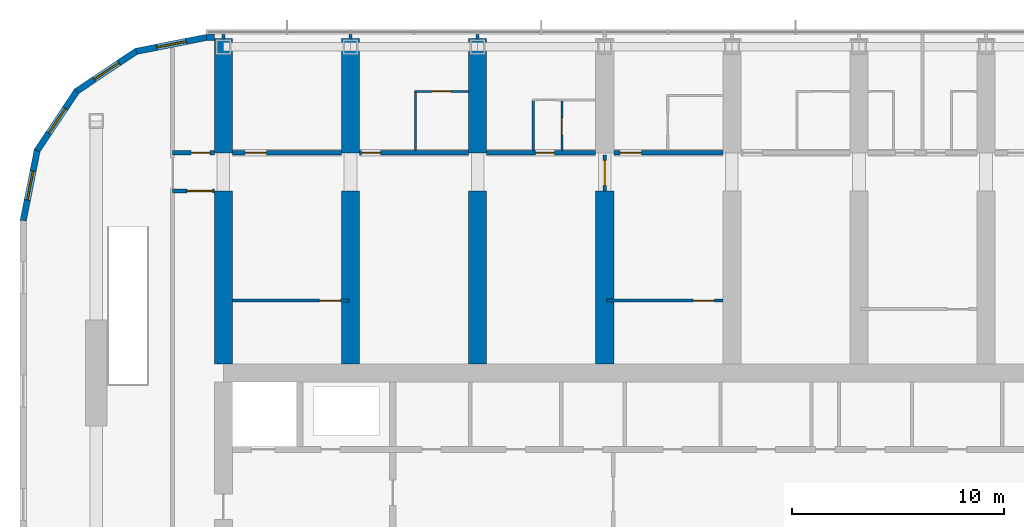
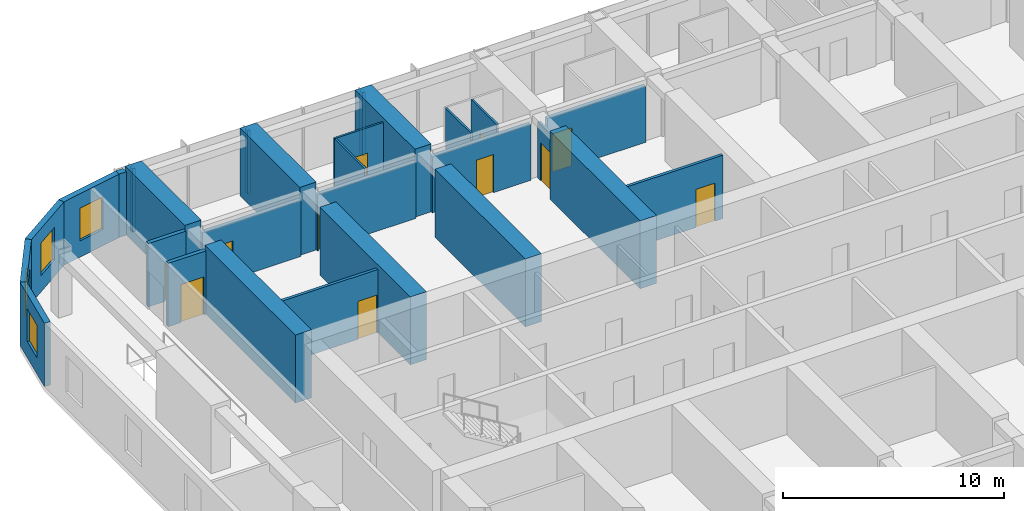
# One storey, part 15 of 22: 28 walls, 11 doors, 4 windows, 15 openings.
"""IFC4 building model written with IfcOpenShell, lengths in metres."""

from ifc_helpers import new_model, si_unit, direction, frame, frame_2d, origin, place, context, subcontext, project, spatial, polyline, rectangle, outline, extrude, material, layer, layer_set, type_object, element, fill, save


model = new_model("IFC4")

# Units and contexts
model_context = context("Model", 3, precision=1e-05, world=origin(), true_north=direction((0.0, 1.0)))
body_context = subcontext(model_context, "Body", "Model", "MODEL_VIEW")
ifc_project = project(units=[si_unit("LENGTHUNIT", "METRE"), si_unit("AREAUNIT", "SQUARE_METRE"), si_unit("VOLUMEUNIT", "CUBIC_METRE"), si_unit("PLANEANGLEUNIT", "RADIAN"), si_unit("MASSUNIT", "GRAM", prefix="KILO")], contexts=[model_context])

# Site, building, storey
site_placement = place(None, origin())
site = spatial("IfcSite", under=ifc_project, at=site_placement, CompositionType="ELEMENT")
building_placement = place(site_placement, origin())
building = spatial("IfcBuilding", under=site, at=building_placement, Name="Orbita Commons", CompositionType="ELEMENT")
storey_placement = place(building_placement, frame((0.0, 0.0, 167.35009765625)))
storey = spatial("IfcBuildingStorey", under=building, at=storey_placement, Name="L41", CompositionType="ELEMENT", Elevation=167.35009765625)

# Wall, opening, door
ifc_material_1 = material(Name="Concrete blockwork", Category="masonry")
ifc_layer_1 = layer(ifc_material_1, 0.199951171875)
ifc_layer_set_1 = layer_set([ifc_layer_1], Name="Concrete blockwork")
wall_type_1 = type_object("IfcWallType", Name="Corridor wall 200 blockwork", PredefinedType="SOLIDWALL", material=ifc_layer_set_1)
wall_1_placement = place(storey_placement, frame((15.60009765625, 48.60009765625, 0.0), z_axis=(0.0, 0.0, 1.0), x_axis=(1.0, 0.0, 0.0)))
wall_1 = element("IfcWall", 1, at=wall_1_placement, inside=storey, type_object=wall_type_1, Name="Corridor wall 200 blockwork L41", PredefinedType="SOLIDWALL", context=body_context, shape_type="SweptSolid", body=[
    extrude(rectangle(XDim=1.974853515625, YDim=0.199951171875, at=frame_2d((0.9873046875, 0.0))), origin(), (0.0, 0.0, 1.0), 3.5),
])
opening_1_placement = place(wall_1_placement, frame((0.875, 0.0, 0.0)))
opening_1 = element("IfcOpeningElement", 2, at=opening_1_placement, cuts=wall_1, Name="Opening D05", PredefinedType="OPENING", context=body_context, shape_type="SweptSolid", body=[
    extrude(rectangle(XDim=0.89990234375, YDim=2.10009765625, at=frame_2d((0.449951171875, 1.050048828125))), frame((0.0, 0.10986328125, 0.0), z_axis=(0.0, -1.0, 0.0), x_axis=(1.0, 0.0, 0.0)), (0.0, 0.0, 1.0), 0.219970703125),
])
ifc_material_2 = material(Name="Steel-faced fire door leaf", Category="steel")
door_type_1 = type_object("IfcDoorType", Name="Service door 20 min 900x2100", OperationType="SINGLE_SWING_LEFT", PredefinedType="DOOR", material=ifc_material_2)
door_1_placement = place(opening_1_placement, origin())
door_1 = element("IfcDoor", 3, at=door_1_placement, inside=storey, type_object=door_type_1, Name="Linen store L41-KWN door", OperationType="SINGLE_SWING_LEFT", OverallHeight=2.10009765625, OverallWidth=0.89990234375, PredefinedType="DOOR", context=body_context, shape_type="SweptSolid", body=[
    extrude(rectangle(XDim=0.89990234375, YDim=2.10009765625, at=frame_2d((0.449951171875, 1.050048828125))), frame((0.0, 0.02490234375, 0.0), z_axis=(0.0, -1.0, 0.0), x_axis=(1.0, 0.0, 0.0)), (0.0, 0.0, 1.0), 0.050048828125),
])
fill(opening_1, door_1)

wall_2_placement = place(storey_placement, frame((18.425048828125, 48.60009765625, 0.0), z_axis=(0.0, 0.0, 1.0), x_axis=(1.0, 0.0, 0.0)))
wall_2 = element("IfcWall", 4, at=wall_2_placement, inside=storey, type_object=wall_type_1, Name="Corridor wall 200 blockwork L41", PredefinedType="SOLIDWALL", context=body_context, shape_type="SweptSolid", body=[
    extrude(outline(polyline([(0.0, 0.0), (5.14990234375, 0.0), (5.14990234375, 3.099853515625), (0.0, 3.099853515625), (0.0, 0.0)])), frame((0.0, 0.10009765625, 0.0), z_axis=(0.0, -1.0, 0.0), x_axis=(1.0, 0.0, 0.0)), (0.0, 0.0, 1.0), 0.199951171875),
])
opening_2_placement = place(wall_2_placement, frame((0.60009765625, 0.0, 0.0)))
opening_2 = element("IfcOpeningElement", 5, at=opening_2_placement, cuts=wall_2, Name="Opening D06", PredefinedType="OPENING", context=body_context, shape_type="SweptSolid", body=[
    extrude(rectangle(XDim=1.0, YDim=2.10009765625, at=frame_2d((0.5, 1.050048828125))), frame((0.0, 0.10986328125, 0.0), z_axis=(0.0, -1.0, 0.0), x_axis=(1.0, 0.0, 0.0)), (0.0, 0.0, 1.0), 0.219970703125),
])
ifc_material_3 = material(Name="Steel-faced fire door leaf", Category="steel")
door_type_2 = type_object("IfcDoorType", Name="Corridor door 20 min 1000x2100", OperationType="SINGLE_SWING_LEFT", PredefinedType="DOOR", material=ifc_material_3)
door_2_placement = place(opening_2_placement, origin())
door_2 = element("IfcDoor", 6, at=door_2_placement, inside=storey, type_object=door_type_2, Name="Sea-view lounge L41-N00 door", OperationType="SINGLE_SWING_LEFT", OverallHeight=2.10009765625, OverallWidth=1.0, PredefinedType="DOOR", context=body_context, shape_type="SweptSolid", body=[
    extrude(rectangle(XDim=1.0, YDim=2.10009765625, at=frame_2d((0.5, 1.050048828125))), frame((0.0, 0.02490234375, 0.0), z_axis=(0.0, -1.0, 0.0), x_axis=(1.0, 0.0, 0.0)), (0.0, 0.0, 1.0), 0.050048828125),
])
fill(opening_2, door_2)

wall_3_placement = place(storey_placement, frame((24.425048828125, 48.60009765625, 0.0), z_axis=(0.0, 0.0, 1.0), x_axis=(1.0, 0.0, 0.0)))
wall_3 = element("IfcWall", 7, at=wall_3_placement, inside=storey, type_object=wall_type_1, Name="Corridor wall 200 blockwork L41", PredefinedType="SOLIDWALL", context=body_context, shape_type="SweptSolid", body=[
    extrude(outline(polyline([(0.0, 0.0), (5.14990234375, 0.0), (5.14990234375, 3.099853515625), (0.0, 3.099853515625), (0.0, 0.0)])), frame((0.0, 0.10009765625, 0.0), z_axis=(0.0, -1.0, 0.0), x_axis=(1.0, 0.0, 0.0)), (0.0, 0.0, 1.0), 0.199951171875),
])
opening_3_placement = place(wall_3_placement, frame((0.10009765625, 0.0, 0.0)))
opening_3 = element("IfcOpeningElement", 8, at=opening_3_placement, cuts=wall_3, Name="Opening D11", PredefinedType="OPENING", context=body_context, shape_type="SweptSolid", body=[
    extrude(rectangle(XDim=0.89990234375, YDim=2.10009765625, at=frame_2d((0.449951171875, 1.050048828125))), frame((0.0, 0.10986328125, 0.0), z_axis=(0.0, -1.0, 0.0), x_axis=(1.0, 0.0, 0.0)), (0.0, 0.0, 1.0), 0.219970703125),
])
ifc_material_4 = material(Name="Steel-faced fire door leaf", Category="steel")
door_type_3 = type_object("IfcDoorType", Name="Corridor door 20 min 900x2100", OperationType="SINGLE_SWING_LEFT", PredefinedType="DOOR", material=ifc_material_4)
door_3_placement = place(opening_3_placement, origin())
door_3 = element("IfcDoor", 9, at=door_3_placement, inside=storey, type_object=door_type_3, Name="Twin room L41-N02 door", OperationType="SINGLE_SWING_LEFT", OverallHeight=2.10009765625, OverallWidth=0.89990234375, PredefinedType="DOOR", context=body_context, shape_type="SweptSolid", body=[
    extrude(rectangle(XDim=0.89990234375, YDim=2.10009765625, at=frame_2d((0.449951171875, 1.050048828125))), frame((0.0, 0.02490234375, 0.0), z_axis=(0.0, -1.0, 0.0), x_axis=(1.0, 0.0, 0.0)), (0.0, 0.0, 1.0), 0.050048828125),
])
fill(opening_3, door_3)

wall_4_placement = place(storey_placement, frame((30.425048828125, 48.60009765625, 0.0), z_axis=(0.0, 0.0, 1.0), x_axis=(1.0, 0.0, 0.0)))
wall_4 = element("IfcWall", 10, at=wall_4_placement, inside=storey, type_object=wall_type_1, Name="Corridor wall 200 blockwork L41", PredefinedType="SOLIDWALL", context=body_context, shape_type="SweptSolid", body=[
    extrude(outline(polyline([(0.0, 0.0), (5.14990234375, 0.0), (5.14990234375, 3.099853515625), (0.0, 3.099853515625), (0.0, 0.0)])), frame((0.0, 0.10009765625, 0.0), z_axis=(0.0, -1.0, 0.0), x_axis=(1.0, 0.0, 0.0)), (0.0, 0.0, 1.0), 0.199951171875),
])
opening_4_placement = place(wall_4_placement, frame((2.300048828125, 0.0, 0.0)))
opening_4 = element("IfcOpeningElement", 11, at=opening_4_placement, cuts=wall_4, Name="Opening D11", PredefinedType="OPENING", context=body_context, shape_type="SweptSolid", body=[
    extrude(rectangle(XDim=0.89990234375, YDim=2.10009765625, at=frame_2d((0.449951171875, 1.050048828125))), frame((0.0, 0.10986328125, 0.0), z_axis=(0.0, -1.0, 0.0), x_axis=(1.0, 0.0, 0.0)), (0.0, 0.0, 1.0), 0.219970703125),
])
door_4_placement = place(opening_4_placement, origin())
door_4 = element("IfcDoor", 12, at=door_4_placement, inside=storey, type_object=door_type_3, Name="Studio flat L41-N04 entrance door", OperationType="SINGLE_SWING_LEFT", OverallHeight=2.10009765625, OverallWidth=0.89990234375, PredefinedType="DOOR", context=body_context, shape_type="SweptSolid", body=[
    extrude(rectangle(XDim=0.89990234375, YDim=2.10009765625, at=frame_2d((0.449951171875, 1.050048828125))), frame((0.0, 0.02490234375, 0.0), z_axis=(0.0, -1.0, 0.0), x_axis=(1.0, 0.0, 0.0)), (0.0, 0.0, 1.0), 0.050048828125),
])
fill(opening_4, door_4)

wall_5_placement = place(storey_placement, frame((36.425048828125, 48.60009765625, 0.0), z_axis=(0.0, 0.0, 1.0), x_axis=(1.0, 0.0, 0.0)))
wall_5 = element("IfcWall", 13, at=wall_5_placement, inside=storey, type_object=wall_type_1, Name="Corridor wall 200 blockwork L41", PredefinedType="SOLIDWALL", context=body_context, shape_type="SweptSolid", body=[
    extrude(outline(polyline([(0.0, 0.0), (5.14990234375, 0.0), (5.14990234375, 3.099853515625), (0.0, 3.099853515625), (0.0, 0.0)])), frame((0.0, 0.10009765625, 0.0), z_axis=(0.0, -1.0, 0.0), x_axis=(1.0, 0.0, 0.0)), (0.0, 0.0, 1.0), 0.199951171875),
])
opening_5_placement = place(wall_5_placement, frame((0.300048828125, 0.0, 0.0)))
opening_5 = element("IfcOpeningElement", 14, at=opening_5_placement, cuts=wall_5, Name="Opening D06", PredefinedType="OPENING", context=body_context, shape_type="SweptSolid", body=[
    extrude(rectangle(XDim=1.0, YDim=2.10009765625, at=frame_2d((0.5, 1.050048828125))), frame((0.0, 0.10986328125, 0.0), z_axis=(0.0, -1.0, 0.0), x_axis=(1.0, 0.0, 0.0)), (0.0, 0.0, 1.0), 0.219970703125),
])
door_5_placement = place(opening_5_placement, origin())
door_5 = element("IfcDoor", 15, at=door_5_placement, inside=storey, type_object=door_type_2, Name="Accessible bedroom L41-N06 door", OperationType="SINGLE_SWING_LEFT", OverallHeight=2.10009765625, OverallWidth=1.0, PredefinedType="DOOR", context=body_context, shape_type="SweptSolid", body=[
    extrude(rectangle(XDim=1.0, YDim=2.10009765625, at=frame_2d((0.5, 1.050048828125))), frame((0.0, 0.02490234375, 0.0), z_axis=(0.0, -1.0, 0.0), x_axis=(1.0, 0.0, 0.0)), (0.0, 0.0, 1.0), 0.050048828125),
])
fill(opening_5, door_5)

ifc_material_5 = material(Name="Hollow concrete block 200", Category="concrete")
ifc_layer_2 = layer(ifc_material_5, 0.199951171875)
ifc_layer_set_2 = layer_set([ifc_layer_2], Name="Hollow concrete block 200")
wall_type_2 = type_object("IfcWallType", Name="Corridor wall 200 hollow concrete block", PredefinedType="SOLIDWALL", material=ifc_layer_set_2)
wall_6_placement = place(storey_placement, frame((15.60009765625, 46.800048828125, 0.0), z_axis=(0.0, 0.0, 1.0), x_axis=(1.0, 0.0, 0.0)))
wall_6 = element("IfcWall", 16, at=wall_6_placement, inside=storey, type_object=wall_type_2, Name="Corridor wall 200 hollow concrete block L41", PredefinedType="SOLIDWALL", context=body_context, shape_type="SweptSolid", body=[
    extrude(rectangle(XDim=1.974853515625, YDim=0.199951171875, at=frame_2d((0.9873046875, 0.0))), origin(), (0.0, 0.0, 1.0), 3.5),
])
opening_6_placement = place(wall_6_placement, frame((0.675048828125, 0.0, 0.0)))
opening_6 = element("IfcOpeningElement", 17, at=opening_6_placement, cuts=wall_6, Name="Opening D12", PredefinedType="OPENING", context=body_context, shape_type="SweptSolid", body=[
    extrude(rectangle(XDim=1.199951171875, YDim=2.10009765625, at=frame_2d((0.60009765625, 1.050048828125))), frame((0.0, 0.10986328125, 0.0), z_axis=(0.0, -1.0, 0.0), x_axis=(1.0, 0.0, 0.0)), (0.0, 0.0, 1.0), 0.219970703125),
])
ifc_material_6 = material(Name="Steel-faced fire door leaf", Category="steel")
door_type_4 = type_object("IfcDoorType", Name="Double corridor door 20 min 1200x2100", OperationType="DOUBLE_DOOR_SINGLE_SWING", PredefinedType="DOOR", material=ifc_material_6)
door_6_placement = place(opening_6_placement, origin())
door_6 = element("IfcDoor", 18, at=door_6_placement, inside=storey, type_object=door_type_4, Name="Cross corridor doors", OperationType="DOUBLE_DOOR_SINGLE_SWING", OverallHeight=2.10009765625, OverallWidth=1.199951171875, PredefinedType="DOOR", context=body_context, shape_type="SweptSolid", body=[
    extrude(rectangle(XDim=1.199951171875, YDim=2.10009765625, at=frame_2d((0.60009765625, 1.050048828125))), frame((0.0, 0.02490234375, 0.0), z_axis=(0.0, -1.0, 0.0), x_axis=(1.0, 0.0, 0.0)), (0.0, 0.0, 1.0), 0.050048828125),
])
fill(opening_6, door_6)

# Walls
ifc_material_7 = material(Name="Concrete C50/60", Category="concrete")
ifc_layer_3 = layer(ifc_material_7, 0.85009765625)
ifc_layer_set_3 = layer_set([ifc_layer_3], Name="Concrete C50/60")
wall_type_3 = type_object("IfcWallType", Name="Cross wall 850 C50/60", PredefinedType="SHEAR", material=ifc_layer_set_3)
wall_7_placement = place(storey_placement, frame((18.0, 48.60009765625, 0.0), z_axis=(0.0, 0.0, 1.0), x_axis=(0.0, 1.0, 0.0)))
element("IfcWall", 19, at=wall_7_placement, inside=storey, type_object=wall_type_3, Name="Cross wall 4 north outer L41", PredefinedType="SHEAR", context=body_context, shape_type="SweptSolid", body=[
    extrude(rectangle(XDim=5.39990234375, YDim=0.85009765625, at=frame_2d((2.699951171875, 0.0))), origin(), (0.0, 0.0, 1.0), 3.75),
])
wall_8_placement = place(storey_placement, frame((18.0, 38.625, 0.0), z_axis=(0.0, 0.0, 1.0), x_axis=(0.0, 1.0, 0.0)))
element("IfcWall", 20, at=wall_8_placement, inside=storey, type_object=wall_type_3, Name="Cross wall 4 north inner L41", PredefinedType="SHEAR", context=body_context, shape_type="SweptSolid", body=[
    extrude(rectangle(XDim=8.175048828125, YDim=0.85009765625, at=frame_2d((4.08740234375, 0.0))), origin(), (0.0, 0.0, 1.0), 3.75),
])
wall_9_placement = place(storey_placement, frame((24.0, 48.60009765625, 0.0), z_axis=(0.0, 0.0, 1.0), x_axis=(0.0, 1.0, 0.0)))
element("IfcWall", 21, at=wall_9_placement, inside=storey, type_object=wall_type_3, Name="Cross wall 5 north outer L41", PredefinedType="SHEAR", context=body_context, shape_type="SweptSolid", body=[
    extrude(rectangle(XDim=5.39990234375, YDim=0.85009765625, at=frame_2d((2.699951171875, 0.0))), origin(), (0.0, 0.0, 1.0), 3.75),
])
wall_10_placement = place(storey_placement, frame((24.0, 38.625, 0.0), z_axis=(0.0, 0.0, 1.0), x_axis=(0.0, 1.0, 0.0)))
element("IfcWall", 22, at=wall_10_placement, inside=storey, type_object=wall_type_3, Name="Cross wall 5 north inner L41", PredefinedType="SHEAR", context=body_context, shape_type="SweptSolid", body=[
    extrude(rectangle(XDim=8.175048828125, YDim=0.85009765625, at=frame_2d((4.08740234375, 0.0))), origin(), (0.0, 0.0, 1.0), 3.75),
])
wall_11_placement = place(storey_placement, frame((30.0, 48.60009765625, 0.0), z_axis=(0.0, 0.0, 1.0), x_axis=(0.0, 1.0, 0.0)))
element("IfcWall", 23, at=wall_11_placement, inside=storey, type_object=wall_type_3, Name="Cross wall 6 north outer L41", PredefinedType="SHEAR", context=body_context, shape_type="SweptSolid", body=[
    extrude(rectangle(XDim=5.39990234375, YDim=0.85009765625, at=frame_2d((2.699951171875, 0.0))), origin(), (0.0, 0.0, 1.0), 3.75),
])
for number, where, z_axis, x_axis, name in (
    (24, (30.0, 38.625, 0.0), (0.0, 0.0, 1.0), (0.0, 1.0, 0.0), "Cross wall 6 north inner L41"),
    (25, (36.0, 38.625, 0.0), (0.0, 0.0, 1.0), (0.0, 1.0, 0.0), "Cross wall 7 north inner L41"),
):
    element("IfcWall", number, at=place(storey_placement, frame(where, z_axis=z_axis, x_axis=x_axis)), inside=storey, type_object=wall_type_3, Name=name, PredefinedType="SHEAR", context=body_context, shape_type="SweptSolid", body=[
        extrude(rectangle(XDim=8.175048828125, YDim=0.85009765625, at=frame_2d((4.08740234375, 0.0))), origin(), (0.0, 0.0, 1.0), 3.75),
    ])

# Wall, opening, door
ifc_material_8 = material(Name="Moisture-resistant plasterboard on steel studs", Category="steel")
ifc_layer_4 = layer(ifc_material_8, 0.10009765625)
ifc_layer_set_4 = layer_set([ifc_layer_4], Name="Moisture-resistant plasterboard on steel studs")
wall_type_4 = type_object("IfcWallType", Name="En-suite partition 100", PredefinedType="PARTITIONING", material=ifc_layer_set_4)
wall_12_placement = place(storey_placement, frame((27.02490234375, 51.5, 0.0), z_axis=(0.0, 0.0, 1.0), x_axis=(1.0, 0.0, 0.0)))
wall_12 = element("IfcWall", 26, at=wall_12_placement, inside=storey, type_object=wall_type_4, Name="En-suite partition 100 L41", PredefinedType="PARTITIONING", context=body_context, shape_type="SweptSolid", body=[
    extrude(rectangle(XDim=2.550048828125, YDim=0.10009765625, at=frame_2d((1.27490234375, 0.0))), origin(), (0.0, 0.0, 1.0), 3.5),
])
opening_7_placement = place(wall_12_placement, frame((0.824951171875, 0.0, 0.0)))
opening_7 = element("IfcOpeningElement", 27, at=opening_7_placement, cuts=wall_12, Name="Opening D09", PredefinedType="OPENING", context=body_context, shape_type="SweptSolid", body=[
    extrude(rectangle(XDim=0.89990234375, YDim=2.10009765625, at=frame_2d((0.449951171875, 1.050048828125))), frame((0.0, 0.06005859375, 0.0), z_axis=(0.0, -1.0, 0.0), x_axis=(1.0, 0.0, 0.0)), (0.0, 0.0, 1.0), 0.1201171875),
])
ifc_material_9 = material(Name="Laminated timber door leaf", Category="wood")
door_type_5 = type_object("IfcDoorType", Name="En-suite door 900x2100", OperationType="SINGLE_SWING_RIGHT", PredefinedType="DOOR", material=ifc_material_9)
door_7_placement = place(opening_7_placement, origin())
door_7 = element("IfcDoor", 28, at=door_7_placement, inside=storey, type_object=door_type_5, Name="En-suite L41-N02 door", OperationType="SINGLE_SWING_RIGHT", OverallHeight=2.10009765625, OverallWidth=0.89990234375, PredefinedType="DOOR", context=body_context, shape_type="SweptSolid", body=[
    extrude(rectangle(XDim=0.89990234375, YDim=2.10009765625, at=frame_2d((0.449951171875, 1.050048828125))), frame((0.0, 0.02490234375, 0.0), z_axis=(0.0, -1.0, 0.0), x_axis=(1.0, 0.0, 0.0)), (0.0, 0.0, 1.0), 0.050048828125),
])
fill(opening_7, door_7)

# Walls
wall_13_placement = place(storey_placement, frame((27.074951171875, 51.449951171875, 0.0), z_axis=(0.0, 0.0, 1.0), x_axis=(0.0, -1.0, 0.0)))
element("IfcWall", 29, at=wall_13_placement, inside=storey, type_object=wall_type_4, Name="En-suite partition 100 L41", PredefinedType="PARTITIONING", context=body_context, shape_type="SweptSolid", body=[
    extrude(outline(polyline([(0.0, 0.0), (2.75, 0.0), (2.75, 3.099853515625), (2.701904296875, 3.099853515625), (2.699951171875, 3.5), (0.0, 3.5), (0.0, 0.0)])), frame((0.0, 0.050048828125, 0.0), z_axis=(0.0, -1.0, 0.0), x_axis=(1.0, 0.0, 0.0)), (0.0, 0.0, 1.0), 0.10009765625),
])
wall_14_placement = place(storey_placement, frame((32.625, 51.050048828125, 0.0), z_axis=(0.0, 0.0, 1.0), x_axis=(0.0, -1.0, 0.0)))
element("IfcWall", 30, at=wall_14_placement, inside=storey, type_object=wall_type_4, Name="En-suite partition 100 L41", PredefinedType="PARTITIONING", context=body_context, shape_type="SweptSolid", body=[
    extrude(outline(polyline([(0.0, 0.0), (2.35009765625, 0.0), (2.35009765625, 3.099853515625), (2.302001953125, 3.099853515625), (2.300048828125, 3.5), (0.0, 3.5), (0.0, 0.0)])), frame((0.0, 0.050048828125, 0.0), z_axis=(0.0, -1.0, 0.0), x_axis=(1.0, 0.0, 0.0)), (0.0, 0.0, 1.0), 0.10009765625),
])

# Wall, opening, door
wall_15_placement = place(storey_placement, frame((33.97509765625, 51.050048828125, 0.0), z_axis=(0.0, 0.0, 1.0), x_axis=(0.0, -1.0, 0.0)))
wall_15 = element("IfcWall", 31, at=wall_15_placement, inside=storey, type_object=wall_type_4, Name="En-suite partition 100 L41", PredefinedType="PARTITIONING", context=body_context, shape_type="SweptSolid", body=[
    extrude(outline(polyline([(0.0, 0.0), (2.35009765625, 0.0), (2.35009765625, 3.099853515625), (2.302001953125, 3.099853515625), (2.300048828125, 3.5), (0.0, 3.5), (0.0, 0.0)])), frame((0.0, 0.050048828125, 0.0), z_axis=(0.0, -1.0, 0.0), x_axis=(1.0, 0.0, 0.0)), (0.0, 0.0, 1.0), 0.10009765625),
])
opening_8_placement = place(wall_15_placement, frame((0.800048828125, 0.0, 0.0)))
opening_8 = element("IfcOpeningElement", 32, at=opening_8_placement, cuts=wall_15, Name="Opening D16", PredefinedType="OPENING", context=body_context, shape_type="SweptSolid", body=[
    extrude(rectangle(XDim=0.800048828125, YDim=2.10009765625, at=frame_2d((0.39990234375, 1.050048828125))), frame((0.0, 0.06005859375, 0.0), z_axis=(0.0, -1.0, 0.0), x_axis=(1.0, 0.0, 0.0)), (0.0, 0.0, 1.0), 0.1201171875),
])
ifc_material_10 = material(Name="Laminated timber door leaf", Category="wood")
door_type_6 = type_object("IfcDoorType", Name="En-suite door 800x2100", OperationType="SINGLE_SWING_RIGHT", PredefinedType="DOOR", material=ifc_material_10)
door_8_placement = place(opening_8_placement, origin())
door_8 = element("IfcDoor", 33, at=door_8_placement, inside=storey, type_object=door_type_6, Name="Studio flat shower room L41-N04 door", OperationType="SINGLE_SWING_RIGHT", OverallHeight=2.10009765625, OverallWidth=0.800048828125, PredefinedType="DOOR", context=body_context, shape_type="SweptSolid", body=[
    extrude(rectangle(XDim=0.800048828125, YDim=2.10009765625, at=frame_2d((0.39990234375, 1.050048828125))), frame((0.0, 0.02490234375, 0.0), z_axis=(0.0, -1.0, 0.0), x_axis=(1.0, 0.0, 0.0)), (0.0, 0.0, 1.0), 0.050048828125),
])
fill(opening_8, door_8)

ifc_material_11 = material(Name="Gypsum plasterboard on steel studs", Category="steel")
ifc_layer_5 = layer(ifc_material_11, 0.14990234375)
ifc_layer_set_5 = layer_set([ifc_layer_5], Name="Gypsum plasterboard on steel studs")
wall_type_5 = type_object("IfcWallType", Name="Partition 150 plasterboard", PredefinedType="PARTITIONING", material=ifc_layer_set_5)
wall_16_placement = place(storey_placement, frame((23.925048828125, 41.625, 0.0), z_axis=(0.0, 0.0, 1.0), x_axis=(-1.0, 0.0, 0.0)))
wall_16 = element("IfcWall", 34, at=wall_16_placement, inside=storey, type_object=wall_type_5, Name="Partition 150 plasterboard L41", PredefinedType="PARTITIONING", context=body_context, shape_type="SweptSolid", body=[
    extrude(rectangle(XDim=5.5, YDim=0.14990234375, at=frame_2d((2.75, 0.0))), origin(), (0.0, 0.0, 1.0), 3.5),
])
opening_9_placement = place(wall_16_placement, frame((0.39990234375, 0.0, 0.0)))
opening_9 = element("IfcOpeningElement", 35, at=opening_9_placement, cuts=wall_16, Name="Opening D18", PredefinedType="OPENING", context=body_context, shape_type="SweptSolid", body=[
    extrude(rectangle(XDim=1.0, YDim=2.10009765625, at=frame_2d((0.5, 1.050048828125))), frame((0.0, 0.0849609375, 0.0), z_axis=(0.0, -1.0, 0.0), x_axis=(1.0, 0.0, 0.0)), (0.0, 0.0, 1.0), 0.169921875),
])
ifc_material_12 = material(Name="Steel-faced fire door leaf", Category="steel")
door_type_7 = type_object("IfcDoorType", Name="Service door 20 min 1000x2100", OperationType="SINGLE_SWING_LEFT", PredefinedType="DOOR", material=ifc_material_12)
door_9_placement = place(opening_9_placement, origin())
door_9 = element("IfcDoor", 36, at=door_9_placement, inside=storey, type_object=door_type_7, Name="Bulk and luggage store L41-BDN18 door", OperationType="SINGLE_SWING_LEFT", OverallHeight=2.10009765625, OverallWidth=1.0, PredefinedType="DOOR", context=body_context, shape_type="SweptSolid", body=[
    extrude(rectangle(XDim=1.0, YDim=2.10009765625, at=frame_2d((0.5, 1.050048828125))), frame((0.0, 0.02490234375, 0.0), z_axis=(0.0, -1.0, 0.0), x_axis=(1.0, 0.0, 0.0)), (0.0, 0.0, 1.0), 0.050048828125),
])
fill(opening_9, door_9)

wall_17_placement = place(storey_placement, frame((41.574951171875, 41.625, 0.0), z_axis=(0.0, 0.0, 1.0), x_axis=(-1.0, 0.0, 0.0)))
wall_17 = element("IfcWall", 37, at=wall_17_placement, inside=storey, type_object=wall_type_5, Name="Partition 150 plasterboard L41", PredefinedType="PARTITIONING", context=body_context, shape_type="SweptSolid", body=[
    extrude(rectangle(XDim=5.5, YDim=0.14990234375, at=frame_2d((2.75, 0.0))), origin(), (0.0, 0.0, 1.0), 3.5),
])
opening_10_placement = place(wall_17_placement, frame((0.39990234375, 0.0, 0.0)))
opening_10 = element("IfcOpeningElement", 38, at=opening_10_placement, cuts=wall_17, Name="Opening D17", PredefinedType="OPENING", context=body_context, shape_type="SweptSolid", body=[
    extrude(rectangle(XDim=1.0, YDim=2.10009765625, at=frame_2d((0.5, 1.050048828125))), frame((0.0, 0.0849609375, 0.0), z_axis=(0.0, -1.0, 0.0), x_axis=(1.0, 0.0, 0.0)), (0.0, 0.0, 1.0), 0.169921875),
])
ifc_material_13 = material(Name="Steel-faced fire door leaf", Category="steel")
door_type_8 = type_object("IfcDoorType", Name="Shaft access door 90 min 1000x2100", OperationType="SINGLE_SWING_LEFT", PredefinedType="DOOR", material=ifc_material_13)
door_10_placement = place(opening_10_placement, origin())
door_10 = element("IfcDoor", 39, at=door_10_placement, inside=storey, type_object=door_type_8, Name="Ventilation plant room north L41-BDN36 door", OperationType="SINGLE_SWING_LEFT", OverallHeight=2.10009765625, OverallWidth=1.0, PredefinedType="DOOR", context=body_context, shape_type="SweptSolid", body=[
    extrude(rectangle(XDim=1.0, YDim=2.10009765625, at=frame_2d((0.5, 1.050048828125))), frame((0.0, 0.02490234375, 0.0), z_axis=(0.0, -1.0, 0.0), x_axis=(1.0, 0.0, 0.0)), (0.0, 0.0, 1.0), 0.050048828125),
])
fill(opening_10, door_10)

wall_18_placement = place(storey_placement, frame((36.0, 46.800048828125, 0.0), z_axis=(0.0, 0.0, 1.0), x_axis=(0.0, 1.0, 0.0)))
wall_18 = element("IfcWall", 40, at=wall_18_placement, inside=storey, type_object=wall_type_5, Name="Partition 150 plasterboard L41", PredefinedType="PARTITIONING", context=body_context, shape_type="SweptSolid", body=[
    extrude(outline(polyline([(0.0, 0.0), (1.699951171875, 0.0), (1.699951171875, 3.099853515625), (0.0, 3.099853515625), (0.0, 0.0)])), frame((0.0, 0.074951171875, 0.0), z_axis=(0.0, -1.0, 0.0), x_axis=(1.0, 0.0, 0.0)), (0.0, 0.0, 1.0), 0.14990234375),
])
opening_11_placement = place(wall_18_placement, frame((0.25, 0.0, 0.0)))
opening_11 = element("IfcOpeningElement", 41, at=opening_11_placement, cuts=wall_18, Name="Opening D12", PredefinedType="OPENING", context=body_context, shape_type="SweptSolid", body=[
    extrude(rectangle(XDim=1.199951171875, YDim=2.10009765625, at=frame_2d((0.60009765625, 1.050048828125))), frame((0.0, 0.0849609375, 0.0), z_axis=(0.0, -1.0, 0.0), x_axis=(1.0, 0.0, 0.0)), (0.0, 0.0, 1.0), 0.169921875),
])
door_11_placement = place(opening_11_placement, origin())
door_11 = element("IfcDoor", 42, at=door_11_placement, inside=storey, type_object=door_type_4, Name="Social spine north screen doors", OperationType="DOUBLE_DOOR_SINGLE_SWING", OverallHeight=2.10009765625, OverallWidth=1.199951171875, PredefinedType="DOOR", context=body_context, shape_type="SweptSolid", body=[
    extrude(rectangle(XDim=1.199951171875, YDim=2.10009765625, at=frame_2d((0.60009765625, 1.050048828125))), frame((0.0, 0.02490234375, 0.0), z_axis=(0.0, -1.0, 0.0), x_axis=(1.0, 0.0, 0.0)), (0.0, 0.0, 1.0), 0.050048828125),
])
fill(opening_11, door_11)

# Walls
for number, where, z_axis, x_axis, name in (
    (43, (18.0, 53.949951171875, 0.0), (0.0, 0.0, 1.0), (0.0, 1.0, 0.0), "Partition 150 plasterboard L41"),
    (44, (24.0, 53.949951171875, 0.0), (0.0, 0.0, 1.0), (0.0, 1.0, 0.0), "Partition 150 plasterboard L41"),
    (45, (30.0, 53.949951171875, 0.0), (0.0, 0.0, 1.0), (0.0, 1.0, 0.0), "Partition 150 plasterboard L41"),
):
    element("IfcWall", number, at=place(storey_placement, frame(where, z_axis=z_axis, x_axis=x_axis)), inside=storey, type_object=wall_type_5, Name=name, PredefinedType="PARTITIONING", context=body_context, shape_type="SweptSolid", body=[
        extrude(rectangle(XDim=0.239990234375, YDim=0.14990234375, at=frame_2d((0.1201171875, 0.0))), origin(), (0.0, 0.0, 1.0), 3.5),
    ])

# Wall, opening, window
ifc_material_14 = material(Name="Precast concrete C40/50, white board-marked finish", Category="concrete")
ifc_layer_6 = layer(ifc_material_14, 0.300048828125)
ifc_layer_set_6 = layer_set([ifc_layer_6], Name="Precast concrete C40/50, white board-marked finish")
wall_type_6 = type_object("IfcWallType", Name="Precast concrete end shield 300", PredefinedType="SOLIDWALL", material=ifc_layer_set_6)
wall_19_placement = place(storey_placement, frame((17.199951171875, 54.050048828125, 0.0), z_axis=(0.0, 0.0, 1.0), x_axis=(-0.98078325777, -0.195100490205, 0.0)))
wall_19 = element("IfcWall", 46, at=wall_19_placement, inside=storey, type_object=wall_type_6, Name="End shield NW chord 1 L41", PredefinedType="SOLIDWALL", context=body_context, shape_type="SweptSolid", body=[
    extrude(outline(polyline([(-0.02978515625, -0.14990234375), (3.40478515625, -0.14990234375), (3.34521484375, 0.14990234375), (0.02978515625, 0.14990234375), (-0.02978515625, -0.14990234375)])), origin(), (0.0, 0.0, 1.0), 3.5),
])
opening_12_placement = place(wall_19_placement, frame((0.987548828125, 0.0, 0.89990234375)))
opening_12 = element("IfcOpeningElement", 47, at=opening_12_placement, cuts=wall_19, Name="Opening W02", PredefinedType="OPENING", context=body_context, shape_type="SweptSolid", body=[
    extrude(rectangle(XDim=1.39990234375, YDim=1.800048828125, at=frame_2d((0.699951171875, 0.89990234375))), frame((0.0, 0.159912109375, 0.0), z_axis=(0.0, -1.0, 0.0), x_axis=(1.0, 0.0, 0.0)), (0.0, 0.0, 1.0), 0.320068359375),
])
ifc_material_15 = material(Name="Aluminium frame, clear double glazing", Category="aluminium")
window_type = type_object("IfcWindowType", Name="Deep-set window 1400x1800", PartitioningType="SINGLE_PANEL", PredefinedType="WINDOW", material=ifc_material_15)
window_1_placement = place(opening_12_placement, origin())
window_1 = element("IfcWindow", 48, at=window_1_placement, inside=storey, type_object=window_type, Name="Window L41-NW0", OverallHeight=1.800048828125, OverallWidth=1.39990234375, PartitioningType="SINGLE_PANEL", PredefinedType="WINDOW", context=body_context, shape_type="SweptSolid", body=[
    extrude(rectangle(XDim=1.39990234375, YDim=1.800048828125, at=frame_2d((0.699951171875, 0.89990234375))), frame((0.0, 0.030029296875, 0.0), z_axis=(0.0, -1.0, 0.0), x_axis=(1.0, 0.0, 0.0)), (0.0, 0.0, 1.0), 0.06005859375),
])
fill(opening_12, window_1)

wall_20_placement = place(storey_placement, frame((13.889892578125, 53.3916015625, 0.0), z_axis=(0.0, 0.0, 1.0), x_axis=(-0.831493450887, -0.555534554399, 0.0)))
wall_20 = element("IfcWall", 49, at=wall_20_placement, inside=storey, type_object=wall_type_6, Name="End shield NW chord 2 L41", PredefinedType="SOLIDWALL", context=body_context, shape_type="SweptSolid", body=[
    extrude(outline(polyline([(-0.02978515625, -0.14990234375), (3.405029296875, -0.14990234375), (3.345458984375, 0.14990234375), (0.02978515625, 0.14990234375), (-0.02978515625, -0.14990234375)])), origin(), (0.0, 0.0, 1.0), 3.5),
])
opening_13_placement = place(wall_20_placement, frame((0.987548828125, 0.0, 0.89990234375)))
opening_13 = element("IfcOpeningElement", 50, at=opening_13_placement, cuts=wall_20, Name="Opening W02", PredefinedType="OPENING", context=body_context, shape_type="SweptSolid", body=[
    extrude(rectangle(XDim=1.39990234375, YDim=1.800048828125, at=frame_2d((0.699951171875, 0.89990234375))), frame((0.0, 0.159912109375, 0.0), z_axis=(0.0, -1.0, 0.0), x_axis=(1.0, 0.0, 0.0)), (0.0, 0.0, 1.0), 0.320068359375),
])
window_2_placement = place(opening_13_placement, origin())
window_2 = element("IfcWindow", 51, at=window_2_placement, inside=storey, type_object=window_type, Name="Window L41-NW1", OverallHeight=1.800048828125, OverallWidth=1.39990234375, PartitioningType="SINGLE_PANEL", PredefinedType="WINDOW", context=body_context, shape_type="SweptSolid", body=[
    extrude(rectangle(XDim=1.39990234375, YDim=1.800048828125, at=frame_2d((0.699951171875, 0.89990234375))), frame((0.0, 0.030029296875, 0.0), z_axis=(0.0, -1.0, 0.0), x_axis=(1.0, 0.0, 0.0)), (0.0, 0.0, 1.0), 0.06005859375),
])
fill(opening_13, window_2)

wall_21_placement = place(storey_placement, frame((11.08349609375, 51.5166015625, 0.0), z_axis=(0.0, 0.0, 1.0), x_axis=(-0.555534554399, -0.831493450887, 0.0)))
wall_21 = element("IfcWall", 52, at=wall_21_placement, inside=storey, type_object=wall_type_6, Name="End shield NW chord 3 L41", PredefinedType="SOLIDWALL", context=body_context, shape_type="SweptSolid", body=[
    extrude(outline(polyline([(-0.02978515625, -0.14990234375), (3.405029296875, -0.14990234375), (3.345458984375, 0.14990234375), (0.02978515625, 0.14990234375), (-0.02978515625, -0.14990234375)])), origin(), (0.0, 0.0, 1.0), 3.5),
])
opening_14_placement = place(wall_21_placement, frame((0.987548828125, 0.0, 0.89990234375)))
opening_14 = element("IfcOpeningElement", 53, at=opening_14_placement, cuts=wall_21, Name="Opening W02", PredefinedType="OPENING", context=body_context, shape_type="SweptSolid", body=[
    extrude(rectangle(XDim=1.39990234375, YDim=1.800048828125, at=frame_2d((0.699951171875, 0.89990234375))), frame((0.0, 0.159912109375, 0.0), z_axis=(0.0, -1.0, 0.0), x_axis=(1.0, 0.0, 0.0)), (0.0, 0.0, 1.0), 0.320068359375),
])
window_3_placement = place(opening_14_placement, origin())
window_3 = element("IfcWindow", 54, at=window_3_placement, inside=storey, type_object=window_type, Name="Window L41-NW2", OverallHeight=1.800048828125, OverallWidth=1.39990234375, PartitioningType="SINGLE_PANEL", PredefinedType="WINDOW", context=body_context, shape_type="SweptSolid", body=[
    extrude(rectangle(XDim=1.39990234375, YDim=1.800048828125, at=frame_2d((0.699951171875, 0.89990234375))), frame((0.0, 0.030029296875, 0.0), z_axis=(0.0, -1.0, 0.0), x_axis=(1.0, 0.0, 0.0)), (0.0, 0.0, 1.0), 0.06005859375),
])
fill(opening_14, window_3)

wall_22_placement = place(storey_placement, frame((9.20849609375, 48.710205078125, 0.0), z_axis=(0.0, 0.0, 1.0), x_axis=(-0.19508664885, -0.980786011034, 0.0)))
wall_22 = element("IfcWall", 55, at=wall_22_placement, inside=storey, type_object=wall_type_6, Name="End shield NW chord 4 L41", PredefinedType="SOLIDWALL", context=body_context, shape_type="SweptSolid", body=[
    extrude(outline(polyline([(-0.02978515625, -0.14990234375), (3.39013671875, -0.14990234375), (3.3603515625, 0.14990234375), (0.02978515625, 0.14990234375), (-0.02978515625, -0.14990234375)])), origin(), (0.0, 0.0, 1.0), 3.5),
])
opening_15_placement = place(wall_22_placement, frame((0.987548828125, 0.0, 0.89990234375)))
opening_15 = element("IfcOpeningElement", 56, at=opening_15_placement, cuts=wall_22, Name="Opening W02", PredefinedType="OPENING", context=body_context, shape_type="SweptSolid", body=[
    extrude(rectangle(XDim=1.39990234375, YDim=1.800048828125, at=frame_2d((0.699951171875, 0.89990234375))), frame((0.0, 0.159912109375, 0.0), z_axis=(0.0, -1.0, 0.0), x_axis=(1.0, 0.0, 0.0)), (0.0, 0.0, 1.0), 0.320068359375),
])
window_4_placement = place(opening_15_placement, origin())
window_4 = element("IfcWindow", 57, at=window_4_placement, inside=storey, type_object=window_type, Name="Window L41-NW3", OverallHeight=1.800048828125, OverallWidth=1.39990234375, PartitioningType="SINGLE_PANEL", PredefinedType="WINDOW", context=body_context, shape_type="SweptSolid", body=[
    extrude(rectangle(XDim=1.39990234375, YDim=1.800048828125, at=frame_2d((0.699951171875, 0.89990234375))), frame((0.0, 0.030029296875, 0.0), z_axis=(0.0, -1.0, 0.0), x_axis=(1.0, 0.0, 0.0)), (0.0, 0.0, 1.0), 0.06005859375),
])
fill(opening_15, window_4)

# Wall
wall_23_placement = place(storey_placement, frame((17.199951171875, 54.050048828125, 0.0), z_axis=(0.0, 0.0, 1.0), x_axis=(1.0, 0.0, 0.0)))
element("IfcWall", 58, at=wall_23_placement, inside=storey, type_object=wall_type_6, Name="End shield NW closer L41", PredefinedType="SOLIDWALL", context=body_context, shape_type="SweptSolid", body=[
    extrude(rectangle(XDim=0.375, YDim=0.300048828125, at=frame_2d((0.1875, 0.0))), origin(), (0.0, 0.0, 1.0), 3.5),
])

save(model, "model.ifc")
